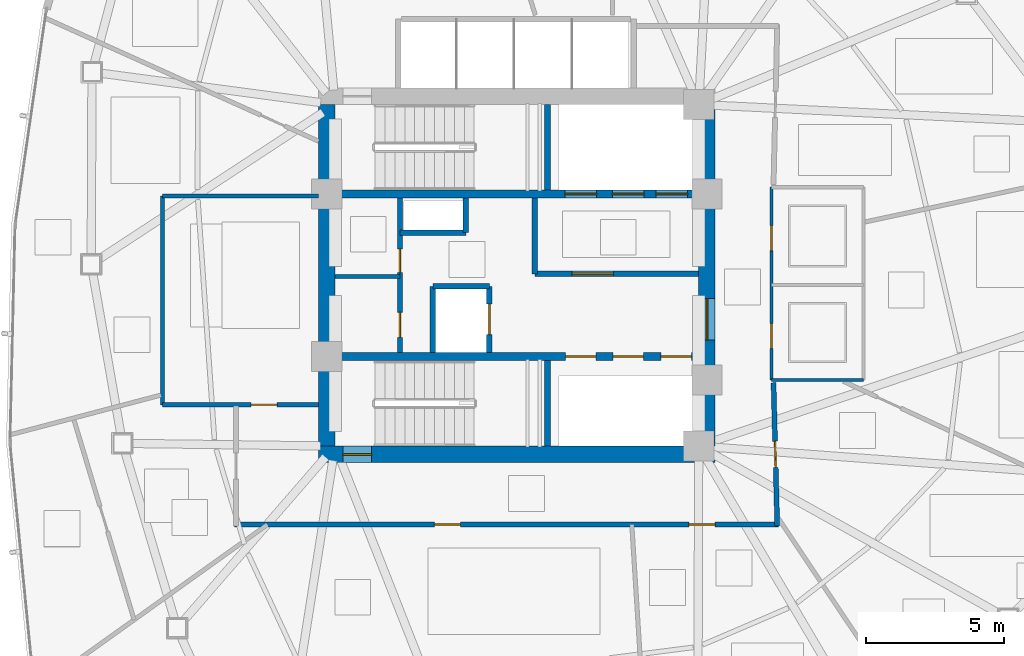
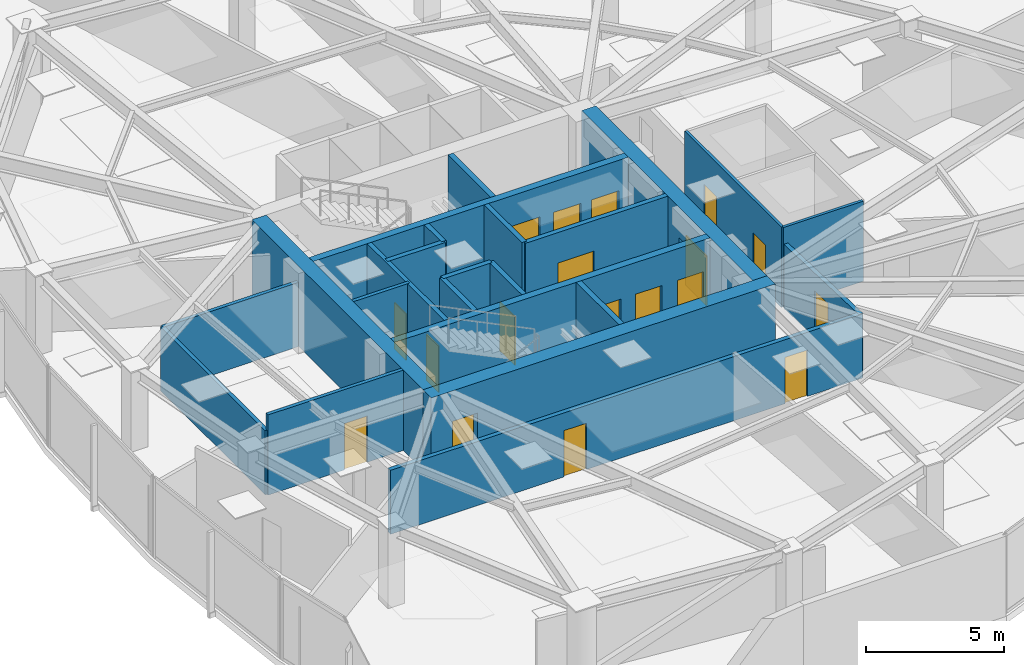
# One storey, part 11 of 16: 23 walls, 18 doors, 18 openings.
"""IFC4 building model written with IfcOpenShell, lengths in metres."""

import ifcopenshell
import ifcopenshell.guid

model = None  # the IFC model being written
_history = None  # IfcOwnerHistory: only IFC2X3 demands one
_inside = {}  # id of a spatial element -> (the spatial element, [elements in it])
_under = {}  # id of a project, library or spatial element -> (it, [spatial elements below it])
_declared = {}  # id of a project -> (the project, [libraries it declares])
_typed = {}  # id of a type object -> (the type object, [elements of that type])
_made_of = {}  # id of a material, layer set ... -> (it, [elements and type objects made of it])


def new_model(schema):
    """Start an empty IFC model of exactly this schema.

    Asked for "IFC4X3", IfcOpenShell would pick the latest addendum, in which some entities
    have other attributes; the version numbers below select the first issue.
    IFC2X3 requires an IfcOwnerHistory on every rooted entity: one is made here for all.
    """
    global model, _history
    if schema == "IFC4X3":
        model = ifcopenshell.file(schema_version=(4, 3, 0, 0))
    else:
        model = ifcopenshell.file(schema=schema)
    _inside.clear()
    _under.clear()
    _declared.clear()
    _typed.clear()
    _made_of.clear()
    _history = None
    if model.schema == "IFC2X3":
        org = make("IfcOrganization", Name="unknown")
        user = make(
            "IfcPersonAndOrganization",
            ThePerson=make("IfcPerson", FamilyName="unknown"),
            TheOrganization=org,
        )
        app = make(
            "IfcApplication",
            ApplicationDeveloper=org,
            Version="unknown",
            ApplicationFullName="unknown",
            ApplicationIdentifier="unknown",
        )
        _history = make(
            "IfcOwnerHistory",
            OwningUser=user,
            OwningApplication=app,
            ChangeAction="ADDED",
            CreationDate=0,
        )
    return model


def make(cls, **values):
    """One entity of the class cls with the attributes given. An attribute that is None is left unset."""
    return model.create_entity(
        cls, **{name: value for name, value in values.items() if value is not None}
    )


def rooted(cls, **values):
    """An entity with a GlobalId (a new one), such as an element, a storey or a relation."""
    return make(cls, GlobalId=ifcopenshell.guid.new(), OwnerHistory=_history, **values)


def si_unit(unit_type, name, prefix=None):
    """IfcSIUnit, for example si_unit("LENGTHUNIT", "METRE", prefix="MILLI")."""
    return make("IfcSIUnit", UnitType=unit_type, Prefix=prefix, Name=name)


def assignment(units):
    """IfcUnitAssignment: the units of a project."""
    return None if units is None else make("IfcUnitAssignment", Units=units)


def point(xyz):
    """IfcCartesianPoint."""
    return None if xyz is None else make("IfcCartesianPoint", Coordinates=xyz)


def direction(xyz):
    """IfcDirection."""
    return None if xyz is None else make("IfcDirection", DirectionRatios=xyz)


def frame(location, z_axis=None, x_axis=None):
    """IfcAxis2Placement3D, a coordinate frame: its origin and axes. An axis left out is left unset."""
    return make(
        "IfcAxis2Placement3D",
        Location=point(location),
        Axis=direction(z_axis),
        RefDirection=direction(x_axis),
    )


def frame_2d(location, x_axis=None):
    """IfcAxis2Placement2D, a coordinate frame in the plane: its origin and x axis."""
    return make(
        "IfcAxis2Placement2D", Location=point(location), RefDirection=direction(x_axis)
    )


def origin():
    """The frame at (0, 0, 0) with its axes left unset."""
    return frame((0.0, 0.0, 0.0))


def place(relative_to, where):
    """IfcLocalPlacement: puts the frame where relative to a parent placement (None: the world)."""
    return make(
        "IfcLocalPlacement", PlacementRelTo=relative_to, RelativePlacement=where
    )


def context(
    kind, dimensions, precision=None, world=None, true_north=None, identifier=None
):
    """IfcGeometricRepresentationContext, for example the 3D "Model" context."""
    return make(
        "IfcGeometricRepresentationContext",
        ContextIdentifier=identifier,
        ContextType=kind,
        CoordinateSpaceDimension=dimensions,
        Precision=precision,
        WorldCoordinateSystem=world,
        TrueNorth=true_north,
    )


def subcontext(parent, identifier, kind, view, scale=None):
    """IfcGeometricRepresentationSubContext, for example "Body" below "Model"."""
    return make(
        "IfcGeometricRepresentationSubContext",
        ContextIdentifier=identifier,
        ContextType=kind,
        ParentContext=parent,
        TargetScale=scale,
        TargetView=view,
    )


def project(units=None, contexts=None):
    """IfcProject with its units and contexts."""
    return rooted(
        "IfcProject",
        Name="project",
        RepresentationContexts=contexts,
        UnitsInContext=assignment(units),
    )


def spatial(cls, under=None, at=None, **own):
    """A site, building, storey or space (cls), placed at a placement, below another one or the project."""
    s = rooted(cls, ObjectPlacement=at, **own)
    if under is not None:
        _under.setdefault(under.id(), (under, []))[1].append(s)
    return s


def profile(cls, at=None, kind="AREA", **sizes):
    """A parametric profile (cls). Its sizes go by their IFC names, for example OverallWidth=200.0."""
    return make(cls, ProfileType=kind, Position=at, **sizes)


def rectangle(**sizes):
    """IfcRectangleProfileDef."""
    return profile("IfcRectangleProfileDef", **sizes)


def extrude(swept, where, along, depth):
    """IfcExtrudedAreaSolid: the profile swept, set in the frame where, extruded along a direction by depth."""
    return make(
        "IfcExtrudedAreaSolid",
        SweptArea=swept,
        Position=where,
        ExtrudedDirection=direction(along),
        Depth=depth,
    )


def shape(context_of_items, identifier, shape_type, items):
    """IfcShapeRepresentation: the items that make up one representation, for example the "Body"."""
    return make(
        "IfcShapeRepresentation",
        ContextOfItems=context_of_items,
        RepresentationIdentifier=identifier,
        RepresentationType=shape_type,
        Items=items,
    )


def material(Name=None, Category=None):
    """IfcMaterial."""
    return make("IfcMaterial", Name=Name, Category=Category)


def layer(
    of_material, thickness, ventilated=None, Name=None, Category=None, Priority=None
):
    """IfcMaterialLayer: one layer of a wall or slab, of a material (None: an air gap)."""
    return make(
        "IfcMaterialLayer",
        Material=of_material,
        LayerThickness=thickness,
        IsVentilated=ventilated,
        Name=Name,
        Category=Category,
        Priority=Priority,
    )


def layer_set(layers, Name=None):
    """IfcMaterialLayerSet."""
    return make("IfcMaterialLayerSet", MaterialLayers=layers, LayerSetName=Name)


def made_of(thing, what):
    """Note that an element or type object is made of a material, layer set ...; save() writes the relation."""
    if what is not None:
        _made_of.setdefault(what.id(), (what, []))[1].append(thing)
    return thing


def type_object(cls, material=None, **own):
    """A type object (cls), such as IfcWallType, which elements share."""
    return made_of(rooted(cls, **own), material)


def element(
    cls,
    number,
    at=None,
    inside=None,
    cuts=None,
    type_object=None,
    material=None,
    context=None,
    identifier="Body",
    shape_type=None,
    held_by="IfcProductDefinitionShape",
    body=None,
    shapes=None,
    **own,
):
    """One element of the class cls, such as IfcWall. Its Tag is "e" and its number.

    at: its placement. inside: the storey or other place that contains it. cuts: it is an
    opening in that element (IfcRelVoidsElement). A single representation is given by context,
    identifier, shape_type and body (its items); several are given by shapes. held_by: the class
    of the entity that holds the representations. save() writes the other relations.
    """
    e = rooted(cls, Tag="e%d" % number, ObjectPlacement=at, **own)
    if body is not None:
        shapes = [shape(context, identifier, shape_type, body)]
    if shapes is not None:
        e.Representation = make(held_by, Representations=shapes)
    if inside is not None:
        _inside.setdefault(inside.id(), (inside, []))[1].append(e)
    if cuts is not None:
        rooted(
            "IfcRelVoidsElement", RelatingBuildingElement=cuts, RelatedOpeningElement=e
        )
    if type_object is not None:
        _typed.setdefault(type_object.id(), (type_object, []))[1].append(e)
    return made_of(e, material)


def fill(opening, filler):
    """IfcRelFillsElement: the door or window that sits in an opening."""
    return rooted(
        "IfcRelFillsElement",
        RelatingOpeningElement=opening,
        RelatedBuildingElement=filler,
    )


def aggregate(whole, parts):
    """IfcRelAggregates: a whole, such as a stair, and the parts it consists of."""
    return rooted("IfcRelAggregates", RelatingObject=whole, RelatedObjects=parts)


def save(model, path):
    """Write the relations noted so far, then the file.

    IfcRelAggregates (storeys below a building ...), IfcRelContainedInSpatialStructure (elements
    in a storey), IfcRelDefinesByType, IfcRelAssociatesMaterial and IfcRelDeclares: one each for
    every whole, place, type object, material and project.
    """
    for whole, parts in _under.values():
        aggregate(whole, parts)
    for where, things in _inside.values():
        rooted(
            "IfcRelContainedInSpatialStructure",
            RelatedElements=things,
            RelatingStructure=where,
        )
    for kind, things in _typed.values():
        rooted("IfcRelDefinesByType", RelatedObjects=things, RelatingType=kind)
    for what, things in _made_of.values():
        rooted("IfcRelAssociatesMaterial", RelatedObjects=things, RelatingMaterial=what)
    for by, libraries in _declared.values():
        rooted("IfcRelDeclares", RelatingContext=by, RelatedDefinitions=libraries)
    model.write(path)


model = new_model("IFC4")

# Units and contexts
model_context = context("Model", 3, precision=1e-05, world=origin(), true_north=direction((0.0, 1.0)))
body_context = subcontext(model_context, "Body", "Model", "MODEL_VIEW")
ifc_project = project(units=[si_unit("LENGTHUNIT", "METRE"), si_unit("AREAUNIT", "SQUARE_METRE"), si_unit("VOLUMEUNIT", "CUBIC_METRE"), si_unit("PLANEANGLEUNIT", "RADIAN"), si_unit("MASSUNIT", "GRAM", prefix="KILO")], contexts=[model_context])

# Site, building, storey
site_placement = place(None, origin())
site = spatial("IfcSite", under=ifc_project, at=site_placement, CompositionType="ELEMENT")
building_placement = place(site_placement, origin())
building = spatial("IfcBuilding", under=site, at=building_placement, Name="Tavelor Broadcast Tower", CompositionType="ELEMENT")
storey_placement = place(building_placement, frame((0.0, 0.0, 138.699951171875)))
storey = spatial("IfcBuildingStorey", under=building, at=storey_placement, Name="L32", CompositionType="ELEMENT", Elevation=138.699951171875)

# Wall, opening, door
ifc_material_1 = material(Name="Concrete C60/75", Category="concrete")
ifc_layer_1 = layer(ifc_material_1, 0.60009765625)
ifc_layer_set_1 = layer_set([ifc_layer_1], Name="Concrete C60/75")
wall_type_1 = type_object("IfcWallType", Name="Core Shear Wall 600 mm", PredefinedType="SHEAR", material=ifc_layer_set_1)
wall_1_placement = place(storey_placement, frame((42.800048828125, 38.5, 0.0), z_axis=(0.0, 0.0, 1.0), x_axis=(1.0, 0.0, 0.0)))
wall_1 = element("IfcWall", 1, at=wall_1_placement, inside=storey, type_object=wall_type_1, Name="L32 Central Core Shear Wall S", PredefinedType="SHEAR", context=body_context, shape_type="SweptSolid", body=[
    extrude(rectangle(XDim=14.39990234375, YDim=0.60009765625, at=frame_2d((7.199951171875, 0.0))), origin(), (0.0, 0.0, 1.0), 3.550048828125),
])
opening_1_placement = place(wall_1_placement, frame((0.8798828125, 0.0, 0.0)))
opening_1 = element("IfcOpeningElement", 2, at=opening_1_placement, cuts=wall_1, Name="Opening DR11", PredefinedType="OPENING", context=body_context, shape_type="SweptSolid", body=[
    extrude(rectangle(XDim=1.050048828125, YDim=2.199951171875, at=frame_2d((0.52490234375, 1.10009765625))), frame((0.0, 0.31005859375, 0.0), z_axis=(0.0, -1.0, 0.0), x_axis=(1.0, 0.0, 0.0)), (0.0, 0.0, 1.0), 0.6201171875),
])
ifc_material_2 = material(Name="Steel S355", Category="steel")
door_type_1 = type_object("IfcDoorType", Name="Stair Core Fire Escape Door 1050x2200", OperationType="NOTDEFINED", PredefinedType="DOOR", material=ifc_material_2)
door_1_placement = place(opening_1_placement, origin())
door_1 = element("IfcDoor", 3, at=door_1_placement, inside=storey, type_object=door_type_1, Name="L32 Stair ST2 Protected Exit Door", OperationType="SINGLE_SWING_RIGHT", OverallHeight=2.199951171875, OverallWidth=1.050048828125, PredefinedType="DOOR", context=body_context, shape_type="SweptSolid", body=[
    extrude(rectangle(XDim=1.050048828125, YDim=2.199951171875, at=frame_2d((0.52490234375, 1.10009765625))), frame((0.0, 0.02490234375, 0.0), z_axis=(0.0, -1.0, 0.0), x_axis=(1.0, 0.0, 0.0)), (0.0, 0.0, 1.0), 0.050048828125),
])
fill(opening_1, door_1)

# Wall
wall_2_placement = place(storey_placement, frame((43.10009765625, 38.800048828125, 0.0), z_axis=(0.0, 0.0, 1.0), x_axis=(0.0, 1.0, 0.0)))
element("IfcWall", 4, at=wall_2_placement, inside=storey, type_object=wall_type_1, Name="L32 Central Core Shear Wall W", PredefinedType="SHEAR", context=body_context, shape_type="SweptSolid", body=[
    extrude(rectangle(XDim=12.39990234375, YDim=0.60009765625, at=frame_2d((6.199951171875, 0.0))), origin(), (0.0, 0.0, 1.0), 3.550048828125),
])

# Wall, opening, door
wall_3_placement = place(storey_placement, frame((56.89990234375, 38.800048828125, 0.0), z_axis=(0.0, 0.0, 1.0), x_axis=(0.0, 1.0, 0.0)))
wall_3 = element("IfcWall", 5, at=wall_3_placement, inside=storey, type_object=wall_type_1, Name="L32 Central Core Shear Wall E", PredefinedType="SHEAR", context=body_context, shape_type="SweptSolid", body=[
    extrude(rectangle(XDim=12.39990234375, YDim=0.60009765625, at=frame_2d((6.199951171875, 0.0))), origin(), (0.0, 0.0, 1.0), 3.550048828125),
])
opening_2_placement = place(wall_3_placement, frame((3.85009765625, 0.0, 0.0)))
opening_2 = element("IfcOpeningElement", 6, at=opening_2_placement, cuts=wall_3, Name="Opening DR14", PredefinedType="OPENING", context=body_context, shape_type="SweptSolid", body=[
    extrude(rectangle(XDim=1.5, YDim=2.199951171875, at=frame_2d((0.75, 1.10009765625))), frame((0.0, 0.31005859375, 0.0), z_axis=(0.0, -1.0, 0.0), x_axis=(1.0, 0.0, 0.0)), (0.0, 0.0, 1.0), 0.6201171875),
])
door_type_2 = type_object("IfcDoorType", Name="Firefighting Lobby Double Fire Door 1500x2200", OperationType="NOTDEFINED", PredefinedType="DOOR", material=ifc_material_2)
door_2_placement = place(opening_2_placement, origin())
door_2 = element("IfcDoor", 7, at=door_2_placement, inside=storey, type_object=door_type_2, Name="L32 Central Core Lobby Fire Door", OperationType="SINGLE_SWING_RIGHT", OverallHeight=2.199951171875, OverallWidth=1.5, PredefinedType="DOOR", context=body_context, shape_type="SweptSolid", body=[
    extrude(rectangle(XDim=1.5, YDim=2.199951171875, at=frame_2d((0.75, 1.10009765625))), frame((0.0, 0.02490234375, 0.0), z_axis=(0.0, -1.0, 0.0), x_axis=(1.0, 0.0, 0.0)), (0.0, 0.0, 1.0), 0.050048828125),
])
fill(opening_2, door_2)

# Wall, openings, doors
ifc_layer_2 = layer(ifc_material_1, 0.300048828125)
ifc_layer_set_2 = layer_set([ifc_layer_2], Name="Concrete C60/75")
wall_type_2 = type_object("IfcWallType", Name="Core Spine Shear Wall 300 mm C60", PredefinedType="SHEAR", material=ifc_layer_set_2)
wall_4_placement = place(storey_placement, frame((43.39990234375, 47.949951171875, 0.0), z_axis=(0.0, 0.0, 1.0), x_axis=(1.0, 0.0, 0.0)))
wall_4 = element("IfcWall", 8, at=wall_4_placement, inside=storey, type_object=wall_type_2, Name="L32 Central Core Shear Wall SP1", PredefinedType="SHEAR", context=body_context, shape_type="SweptSolid", body=[
    extrude(rectangle(XDim=13.2001953125, YDim=0.300048828125, at=frame_2d((6.60009765625, 0.0))), origin(), (0.0, 0.0, 1.0), 3.550048828125),
])
opening_3_placement = place(wall_4_placement, frame((8.344970703125, 0.0, 0.0)))
opening_3 = element("IfcOpeningElement", 9, at=opening_3_placement, cuts=wall_4, Name="Opening LD02", PredefinedType="OPENING", context=body_context, shape_type="SweptSolid", body=[
    extrude(rectangle(XDim=1.14990234375, YDim=2.199951171875, at=frame_2d((0.574951171875, 1.10009765625))), frame((0.0, 0.16015625, 0.0), z_axis=(0.0, -1.0, 0.0), x_axis=(1.0, 0.0, 0.0)), (0.0, 0.0, 1.0), 0.320068359375),
])
opening_4_placement = place(wall_4_placement, frame((10.06494140625, 0.0, 0.0)))
opening_4 = element("IfcOpeningElement", 10, at=opening_4_placement, cuts=wall_4, Name="Opening LD02", PredefinedType="OPENING", context=body_context, shape_type="SweptSolid", body=[
    extrude(rectangle(XDim=1.14990234375, YDim=2.199951171875, at=frame_2d((0.574951171875, 1.10009765625))), frame((0.0, 0.16015625, 0.0), z_axis=(0.0, -1.0, 0.0), x_axis=(1.0, 0.0, 0.0)), (0.0, 0.0, 1.0), 0.320068359375),
])
opening_5_placement = place(wall_4_placement, frame((11.64501953125, 0.0, 0.0)))
opening_5 = element("IfcOpeningElement", 11, at=opening_5_placement, cuts=wall_4, Name="Opening LD03", PredefinedType="OPENING", context=body_context, shape_type="SweptSolid", body=[
    extrude(rectangle(XDim=1.14990234375, YDim=2.199951171875, at=frame_2d((0.574951171875, 1.10009765625))), frame((0.0, 0.16015625, 0.0), z_axis=(0.0, -1.0, 0.0), x_axis=(1.0, 0.0, 0.0)), (0.0, 0.0, 1.0), 0.320068359375),
])
ifc_material_3 = material(Name="Reinforced Brushed Stainless Steel", Category="concrete")
door_type_3 = type_object("IfcDoorType", Name="Broadcast Goods Lift Sliding Landing Door 1250x2200", OperationType="NOTDEFINED", PredefinedType="DOOR", material=ifc_material_3)
door_3_placement = place(opening_5_placement, origin())
door_3 = element("IfcDoor", 12, at=door_3_placement, inside=storey, type_object=door_type_3, Name="L32 Lift SVL1 Sliding Landing Door", OperationType="SLIDING_TO_LEFT", OverallHeight=2.199951171875, OverallWidth=1.14990234375, PredefinedType="DOOR", context=body_context, shape_type="SweptSolid", body=[
    extrude(rectangle(XDim=1.14990234375, YDim=2.199951171875, at=frame_2d((0.574951171875, 1.10009765625))), frame((0.0, 0.02490234375, 0.0), z_axis=(0.0, -1.0, 0.0), x_axis=(1.0, 0.0, 0.0)), (0.0, 0.0, 1.0), 0.050048828125),
])
fill(opening_5, door_3)
ifc_material_4 = material(Name="Fire-Rated Stainless Steel", Category="steel")
door_type_4 = type_object("IfcDoorType", Name="Firefighting Lift Sliding Landing Door 1200x2200", OperationType="NOTDEFINED", PredefinedType="DOOR", material=ifc_material_4)
door_4_placement = place(opening_3_placement, origin())
door_4 = element("IfcDoor", 13, at=door_4_placement, inside=storey, type_object=door_type_4, Name="L32 Lift FFL1 Sliding Landing Door", OperationType="SLIDING_TO_LEFT", OverallHeight=2.199951171875, OverallWidth=1.14990234375, PredefinedType="DOOR", context=body_context, shape_type="SweptSolid", body=[
    extrude(rectangle(XDim=1.14990234375, YDim=2.199951171875, at=frame_2d((0.574951171875, 1.10009765625))), frame((0.0, 0.02490234375, 0.0), z_axis=(0.0, -1.0, 0.0), x_axis=(1.0, 0.0, 0.0)), (0.0, 0.0, 1.0), 0.050048828125),
])
fill(opening_3, door_4)
door_5_placement = place(opening_4_placement, origin())
door_5 = element("IfcDoor", 14, at=door_5_placement, inside=storey, type_object=door_type_4, Name="L32 Lift FFL2 Sliding Landing Door", OperationType="SLIDING_TO_LEFT", OverallHeight=2.199951171875, OverallWidth=1.14990234375, PredefinedType="DOOR", context=body_context, shape_type="SweptSolid", body=[
    extrude(rectangle(XDim=1.14990234375, YDim=2.199951171875, at=frame_2d((0.574951171875, 1.10009765625))), frame((0.0, 0.02490234375, 0.0), z_axis=(0.0, -1.0, 0.0), x_axis=(1.0, 0.0, 0.0)), (0.0, 0.0, 1.0), 0.050048828125),
])
fill(opening_4, door_5)

wall_5_placement = place(storey_placement, frame((43.39990234375, 42.050048828125, 0.0), z_axis=(0.0, 0.0, 1.0), x_axis=(1.0, 0.0, 0.0)))
wall_5 = element("IfcWall", 15, at=wall_5_placement, inside=storey, type_object=wall_type_2, Name="L32 Central Core Shear Wall SP2", PredefinedType="SHEAR", context=body_context, shape_type="SweptSolid", body=[
    extrude(rectangle(XDim=13.2001953125, YDim=0.300048828125, at=frame_2d((6.60009765625, 0.0))), origin(), (0.0, 0.0, 1.0), 3.550048828125),
])
opening_6_placement = place(wall_5_placement, frame((8.3701171875, 0.0, 0.0)))
opening_6 = element("IfcOpeningElement", 16, at=opening_6_placement, cuts=wall_5, Name="Opening LD01", PredefinedType="OPENING", context=body_context, shape_type="SweptSolid", body=[
    extrude(rectangle(XDim=1.10009765625, YDim=2.14990234375, at=frame_2d((0.550048828125, 1.074951171875))), frame((0.0, 0.16015625, 0.0), z_axis=(0.0, -1.0, 0.0), x_axis=(1.0, 0.0, 0.0)), (0.0, 0.0, 1.0), 0.320068359375),
])
opening_7_placement = place(wall_5_placement, frame((10.090087890625, 0.0, 0.0)))
opening_7 = element("IfcOpeningElement", 17, at=opening_7_placement, cuts=wall_5, Name="Opening LD01", PredefinedType="OPENING", context=body_context, shape_type="SweptSolid", body=[
    extrude(rectangle(XDim=1.10009765625, YDim=2.14990234375, at=frame_2d((0.550048828125, 1.074951171875))), frame((0.0, 0.16015625, 0.0), z_axis=(0.0, -1.0, 0.0), x_axis=(1.0, 0.0, 0.0)), (0.0, 0.0, 1.0), 0.320068359375),
])
opening_8_placement = place(wall_5_placement, frame((11.830078125, 0.0, 0.0)))
opening_8 = element("IfcOpeningElement", 18, at=opening_8_placement, cuts=wall_5, Name="Opening LD01", PredefinedType="OPENING", context=body_context, shape_type="SweptSolid", body=[
    extrude(rectangle(XDim=1.10009765625, YDim=2.14990234375, at=frame_2d((0.550048828125, 1.074951171875))), frame((0.0, 0.16015625, 0.0), z_axis=(0.0, -1.0, 0.0), x_axis=(1.0, 0.0, 0.0)), (0.0, 0.0, 1.0), 0.320068359375),
])
ifc_material_5 = material(Name="Brushed Stainless Steel", Category="steel")
door_type_5 = type_object("IfcDoorType", Name="Passenger Lift Sliding Landing Door 1100x2150", OperationType="NOTDEFINED", PredefinedType="DOOR", material=ifc_material_5)
door_6_placement = place(opening_6_placement, origin())
door_6 = element("IfcDoor", 19, at=door_6_placement, inside=storey, type_object=door_type_5, Name="L32 Lift PLM1 Sliding Landing Door", OperationType="SLIDING_TO_LEFT", OverallHeight=2.14990234375, OverallWidth=1.10009765625, PredefinedType="DOOR", context=body_context, shape_type="SweptSolid", body=[
    extrude(rectangle(XDim=1.10009765625, YDim=2.14990234375, at=frame_2d((0.550048828125, 1.074951171875))), frame((0.0, 0.02490234375, 0.0), z_axis=(0.0, -1.0, 0.0), x_axis=(1.0, 0.0, 0.0)), (0.0, 0.0, 1.0), 0.050048828125),
])
fill(opening_6, door_6)
door_7_placement = place(opening_7_placement, origin())
door_7 = element("IfcDoor", 20, at=door_7_placement, inside=storey, type_object=door_type_5, Name="L32 Lift PLM2 Sliding Landing Door", OperationType="SLIDING_TO_LEFT", OverallHeight=2.14990234375, OverallWidth=1.10009765625, PredefinedType="DOOR", context=body_context, shape_type="SweptSolid", body=[
    extrude(rectangle(XDim=1.10009765625, YDim=2.14990234375, at=frame_2d((0.550048828125, 1.074951171875))), frame((0.0, 0.02490234375, 0.0), z_axis=(0.0, -1.0, 0.0), x_axis=(1.0, 0.0, 0.0)), (0.0, 0.0, 1.0), 0.050048828125),
])
fill(opening_7, door_7)
door_8_placement = place(opening_8_placement, origin())
door_8 = element("IfcDoor", 21, at=door_8_placement, inside=storey, type_object=door_type_5, Name="L32 Lift PLM3 Sliding Landing Door", OperationType="SLIDING_TO_LEFT", OverallHeight=2.14990234375, OverallWidth=1.10009765625, PredefinedType="DOOR", context=body_context, shape_type="SweptSolid", body=[
    extrude(rectangle(XDim=1.10009765625, YDim=2.14990234375, at=frame_2d((0.550048828125, 1.074951171875))), frame((0.0, 0.02490234375, 0.0), z_axis=(0.0, -1.0, 0.0), x_axis=(1.0, 0.0, 0.0)), (0.0, 0.0, 1.0), 0.050048828125),
])
fill(opening_8, door_8)

ifc_material_6 = material(Name="Calcium Silicate Fire Board 180 mm", Category="gypsum")
ifc_layer_3 = layer(ifc_material_6, 0.179931640625)
ifc_layer_set_3 = layer_set([ifc_layer_3], Name="Calcium Silicate Fire Board 180 mm")
wall_type_3 = type_object("IfcWallType", Name="Fire-Rated Corridor Partition Wall 180 mm", PredefinedType="PARTITIONING", material=ifc_layer_set_3)
wall_6_placement = place(storey_placement, frame((45.75, 42.199951171875, 0.0), z_axis=(0.0, 0.0, 1.0), x_axis=(0.0, 1.0, 0.0)))
wall_6 = element("IfcWall", 22, at=wall_6_placement, inside=storey, type_object=wall_type_3, Name="L32 Core West Service East Wall", PredefinedType="PARTITIONING", context=body_context, shape_type="SweptSolid", body=[
    extrude(rectangle(XDim=5.60009765625, YDim=0.179931640625, at=frame_2d((2.800048828125, 0.0))), origin(), (0.0, 0.0, 1.0), 3.550048828125),
])
opening_9_placement = place(wall_6_placement, frame((0.550048828125, 0.0, 0.0)))
opening_9 = element("IfcOpeningElement", 23, at=opening_9_placement, cuts=wall_6, Name="Opening DR32", PredefinedType="OPENING", context=body_context, shape_type="SweptSolid", body=[
    extrude(rectangle(XDim=0.89990234375, YDim=2.050048828125, at=frame_2d((0.449951171875, 1.02490234375))), frame((0.0, 0.10009765625, 0.0), z_axis=(0.0, -1.0, 0.0), x_axis=(1.0, 0.0, 0.0)), (0.0, 0.0, 1.0), 0.199951171875),
])
opening_10_placement = place(wall_6_placement, frame((2.89990234375, 0.0, 0.0)))
opening_10 = element("IfcOpeningElement", 24, at=opening_10_placement, cuts=wall_6, Name="Opening DR36", PredefinedType="OPENING", context=body_context, shape_type="SweptSolid", body=[
    extrude(rectangle(XDim=0.85009765625, YDim=2.050048828125, at=frame_2d((0.425048828125, 1.02490234375))), frame((0.0, 0.10009765625, 0.0), z_axis=(0.0, -1.0, 0.0), x_axis=(1.0, 0.0, 0.0)), (0.0, 0.0, 1.0), 0.199951171875),
])
ifc_material_7 = material(Name="Timber Solid Core Hardwood", Category="wood")
door_type_6 = type_object("IfcDoorType", Name="Accessible Washroom Door 900x2050", OperationType="NOTDEFINED", PredefinedType="DOOR", material=ifc_material_7)
door_9_placement = place(opening_9_placement, origin())
door_9 = element("IfcDoor", 25, at=door_9_placement, inside=storey, type_object=door_type_6, Name="L32 Core Accessible WC Door", OperationType="SINGLE_SWING_LEFT", OverallHeight=2.050048828125, OverallWidth=0.89990234375, PredefinedType="DOOR", context=body_context, shape_type="SweptSolid", body=[
    extrude(rectangle(XDim=0.89990234375, YDim=2.050048828125, at=frame_2d((0.449951171875, 1.02490234375))), frame((0.0, 0.02490234375, 0.0), z_axis=(0.0, -1.0, 0.0), x_axis=(1.0, 0.0, 0.0)), (0.0, 0.0, 1.0), 0.050048828125),
])
fill(opening_9, door_9)
door_type_7 = type_object("IfcDoorType", Name="Service Room Fire Door 850x2050", OperationType="NOTDEFINED", PredefinedType="DOOR", material=ifc_material_2)
door_10_placement = place(opening_10_placement, origin())
door_10 = element("IfcDoor", 26, at=door_10_placement, inside=storey, type_object=door_type_7, Name="L32 Core Cleaner Store Door", OperationType="SINGLE_SWING_RIGHT", OverallHeight=2.050048828125, OverallWidth=0.85009765625, PredefinedType="DOOR", context=body_context, shape_type="SweptSolid", body=[
    extrude(rectangle(XDim=0.85009765625, YDim=2.050048828125, at=frame_2d((0.425048828125, 1.02490234375))), frame((0.0, 0.02490234375, 0.0), z_axis=(0.0, -1.0, 0.0), x_axis=(1.0, 0.0, 0.0)), (0.0, 0.0, 1.0), 0.050048828125),
])
fill(opening_10, door_10)

# Wall, opening, door
wall_7_placement = place(storey_placement, frame((59.31640625, 41.10009765625, 0.0), z_axis=(0.0, 0.0, 1.0), x_axis=(0.025953695765, -0.999663146103, 0.0)))
wall_7 = element("IfcWall", 27, at=wall_7_placement, inside=storey, type_object=wall_type_3, Name="L32 Corridor Compartment Wall 03", PredefinedType="PARTITIONING", context=body_context, shape_type="SweptSolid", body=[
    extrude(rectangle(XDim=5.201904296875, YDim=0.179931640625, at=frame_2d((2.60107421875, 0.0))), origin(), (0.0, 0.0, 1.0), 2.8349609375),
])
opening_11_placement = place(wall_7_placement, frame((2.1259765625, 0.0, 0.0)))
opening_11 = element("IfcOpeningElement", 28, at=opening_11_placement, cuts=wall_7, Name="Opening DR18", PredefinedType="OPENING", context=body_context, shape_type="SweptSolid", body=[
    extrude(rectangle(XDim=0.949951171875, YDim=2.050048828125, at=frame_2d((0.47509765625, 1.02490234375))), frame((0.0, 0.10009765625, 0.0), z_axis=(0.0, -1.0, 0.0), x_axis=(1.0, 0.0, 0.0)), (0.0, 0.0, 1.0), 0.199951171875),
])
door_type_8 = type_object("IfcDoorType", Name="Corridor Rated Compartment Door 950x2050", OperationType="NOTDEFINED", PredefinedType="DOOR", material=ifc_material_7)
door_11_placement = place(opening_11_placement, origin())
door_11 = element("IfcDoor", 29, at=door_11_placement, inside=storey, type_object=door_type_8, Name="L32 Creative Huddle Room Door R0", OperationType="SINGLE_SWING_LEFT", OverallHeight=2.050048828125, OverallWidth=0.949951171875, PredefinedType="DOOR", context=body_context, shape_type="SweptSolid", body=[
    extrude(rectangle(XDim=0.949951171875, YDim=2.050048828125, at=frame_2d((0.47509765625, 1.02490234375))), frame((0.0, 0.02490234375, 0.0), z_axis=(0.0, -1.0, 0.0), x_axis=(1.0, 0.0, 0.0)), (0.0, 0.0, 1.0), 0.050048828125),
])
fill(opening_11, door_11)

# Wall, openings, doors
wall_8_placement = place(storey_placement, frame((59.5, 35.949951171875, 0.0), z_axis=(0.0, 0.0, 1.0), x_axis=(-1.0, 0.0, 0.0)))
wall_8 = element("IfcWall", 30, at=wall_8_placement, inside=storey, type_object=wall_type_3, Name="L32 Corridor Compartment Wall 04", PredefinedType="PARTITIONING", context=body_context, shape_type="SweptSolid", body=[
    extrude(rectangle(XDim=19.75, YDim=0.179931640625, at=frame_2d((9.875, 0.0))), origin(), (0.0, 0.0, 1.0), 2.8349609375),
])
opening_12_placement = place(wall_8_placement, frame((2.3037109375, 0.0, 0.0)))
opening_12 = element("IfcOpeningElement", 31, at=opening_12_placement, cuts=wall_8, Name="Opening DR18", PredefinedType="OPENING", context=body_context, shape_type="SweptSolid", body=[
    extrude(rectangle(XDim=0.949951171875, YDim=2.050048828125, at=frame_2d((0.47509765625, 1.02490234375))), frame((0.0, 0.10009765625, 0.0), z_axis=(0.0, -1.0, 0.0), x_axis=(1.0, 0.0, 0.0)), (0.0, 0.0, 1.0), 0.199951171875),
])
opening_13_placement = place(wall_8_placement, frame((11.549560546875, 0.0, 0.0)))
opening_13 = element("IfcOpeningElement", 32, at=opening_13_placement, cuts=wall_8, Name="Opening DR18", PredefinedType="OPENING", context=body_context, shape_type="SweptSolid", body=[
    extrude(rectangle(XDim=0.949951171875, YDim=2.050048828125, at=frame_2d((0.47509765625, 1.02490234375))), frame((0.0, 0.10009765625, 0.0), z_axis=(0.0, -1.0, 0.0), x_axis=(1.0, 0.0, 0.0)), (0.0, 0.0, 1.0), 0.199951171875),
])
door_12_placement = place(opening_12_placement, origin())
door_12 = element("IfcDoor", 33, at=door_12_placement, inside=storey, type_object=door_type_8, Name="L32 Newsroom Huddle Room Door R1", OperationType="SINGLE_SWING_RIGHT", OverallHeight=2.050048828125, OverallWidth=0.949951171875, PredefinedType="DOOR", context=body_context, shape_type="SweptSolid", body=[
    extrude(rectangle(XDim=0.949951171875, YDim=2.050048828125, at=frame_2d((0.47509765625, 1.02490234375))), frame((0.0, 0.02490234375, 0.0), z_axis=(0.0, -1.0, 0.0), x_axis=(1.0, 0.0, 0.0)), (0.0, 0.0, 1.0), 0.050048828125),
])
fill(opening_12, door_12)
door_13_placement = place(opening_13_placement, origin())
door_13 = element("IfcDoor", 34, at=door_13_placement, inside=storey, type_object=door_type_8, Name="L32 Producer Interview Room Door R2", OperationType="SINGLE_SWING_LEFT", OverallHeight=2.050048828125, OverallWidth=0.949951171875, PredefinedType="DOOR", context=body_context, shape_type="SweptSolid", body=[
    extrude(rectangle(XDim=0.949951171875, YDim=2.050048828125, at=frame_2d((0.47509765625, 1.02490234375))), frame((0.0, 0.02490234375, 0.0), z_axis=(0.0, -1.0, 0.0), x_axis=(1.0, 0.0, 0.0)), (0.0, 0.0, 1.0), 0.050048828125),
])
fill(opening_13, door_13)

# Wall
ifc_material_8 = material(Name="Gypsum Acoustic Plasterboard 150 mm", Category="gypsum")
ifc_layer_4 = layer(ifc_material_8, 0.14990234375)
ifc_layer_set_4 = layer_set([ifc_layer_4], Name="Gypsum Acoustic Plasterboard 150 mm")
wall_type_4 = type_object("IfcWallType", Name="Interior Acoustic Partition Wall 150 mm", PredefinedType="PARTITIONING", material=ifc_layer_set_4)
wall_9_placement = place(storey_placement, frame((43.39990234375, 44.949951171875, 0.0), z_axis=(0.0, 0.0, 1.0), x_axis=(1.0, 0.0, 0.0)))
element("IfcWall", 35, at=wall_9_placement, inside=storey, type_object=wall_type_4, Name="L32 Core Split Wall A", PredefinedType="PARTITIONING", context=body_context, shape_type="SweptSolid", body=[
    extrude(rectangle(XDim=2.35009765625, YDim=0.14990234375, at=frame_2d((1.175048828125, 0.0))), origin(), (0.0, 0.0, 1.0), 3.550048828125),
])

# Wall, opening, door
wall_10_placement = place(storey_placement, frame((37.139892578125, 40.300048828125, 0.0), z_axis=(0.0, 0.0, 1.0), x_axis=(1.0, 0.0, 0.0)))
wall_10 = element("IfcWall", 36, at=wall_10_placement, inside=storey, type_object=wall_type_4, Name="L32 Reclaimed Shaft Pantry South Wall", PredefinedType="PARTITIONING", context=body_context, shape_type="SweptSolid", body=[
    extrude(rectangle(XDim=5.66015625, YDim=0.14990234375, at=frame_2d((2.830078125, 0.0))), origin(), (0.0, 0.0, 1.0), 3.550048828125),
])
opening_14_placement = place(wall_10_placement, frame((3.2099609375, 0.0, 0.0)))
opening_14 = element("IfcOpeningElement", 37, at=opening_14_placement, cuts=wall_10, Name="Opening DR18", PredefinedType="OPENING", context=body_context, shape_type="SweptSolid", body=[
    extrude(rectangle(XDim=0.949951171875, YDim=2.050048828125, at=frame_2d((0.47509765625, 1.02490234375))), frame((0.0, 0.0849609375, 0.0), z_axis=(0.0, -1.0, 0.0), x_axis=(1.0, 0.0, 0.0)), (0.0, 0.0, 1.0), 0.169921875),
])
door_14_placement = place(opening_14_placement, origin())
door_14 = element("IfcDoor", 38, at=door_14_placement, inside=storey, type_object=door_type_8, Name="L32 Broadcast IT Patch and Pantry Door", OperationType="SINGLE_SWING_LEFT", OverallHeight=2.050048828125, OverallWidth=0.949951171875, PredefinedType="DOOR", context=body_context, shape_type="SweptSolid", body=[
    extrude(rectangle(XDim=0.949951171875, YDim=2.050048828125, at=frame_2d((0.47509765625, 1.02490234375))), frame((0.0, 0.02490234375, 0.0), z_axis=(0.0, -1.0, 0.0), x_axis=(1.0, 0.0, 0.0)), (0.0, 0.0, 1.0), 0.050048828125),
])
fill(opening_14, door_14)

# Walls
wall_11_placement = place(storey_placement, frame((37.139892578125, 40.300048828125, 0.0), z_axis=(0.0, 0.0, 1.0), x_axis=(0.0, 1.0, 0.0)))
element("IfcWall", 39, at=wall_11_placement, inside=storey, type_object=wall_type_4, Name="L32 Reclaimed Shaft Pantry West Wall", PredefinedType="PARTITIONING", context=body_context, shape_type="SweptSolid", body=[
    extrude(rectangle(XDim=7.579833984375, YDim=0.14990234375, at=frame_2d((3.7900390625, 0.0))), origin(), (0.0, 0.0, 1.0), 2.8349609375),
])
wall_12_placement = place(storey_placement, frame((37.139892578125, 47.8798828125, 0.0), z_axis=(0.0, 0.0, 1.0), x_axis=(1.0, 0.0, 0.0)))
element("IfcWall", 40, at=wall_12_placement, inside=storey, type_object=wall_type_4, Name="L32 Reclaimed Shaft Pantry North Wall", PredefinedType="PARTITIONING", context=body_context, shape_type="SweptSolid", body=[
    extrude(rectangle(XDim=5.66015625, YDim=0.14990234375, at=frame_2d((2.830078125, 0.0))), origin(), (0.0, 0.0, 1.0), 2.8349609375),
])

# Wall, opening, door
ifc_material_9 = material(Name="Concrete Blockwork 200 mm", Category="masonry")
ifc_layer_5 = layer(ifc_material_9, 0.199951171875)
ifc_layer_set_5 = layer_set([ifc_layer_5], Name="Concrete Blockwork 200 mm")
wall_type_5 = type_object("IfcWallType", Name="Lift Hoistway Rated Front Wall 200 mm", PredefinedType="PARTITIONING", material=ifc_layer_set_5)
wall_13_placement = place(storey_placement, frame((49.0, 42.199951171875, 0.0), z_axis=(0.0, 0.0, 1.0), x_axis=(0.0, 1.0, 0.0)))
wall_13 = element("IfcWall", 41, at=wall_13_placement, inside=storey, type_object=wall_type_5, Name="L32 Mid-Rise Lift PLM4 Hoistway Front Wall", PredefinedType="PARTITIONING", context=body_context, shape_type="SweptSolid", body=[
    extrude(rectangle(XDim=2.400146484375, YDim=0.199951171875, at=frame_2d((1.2001953125, 0.0))), origin(), (0.0, 0.0, 1.0), 3.550048828125),
])
opening_15_placement = place(wall_13_placement, frame((0.64990234375, 0.0, 0.0)))
opening_15 = element("IfcOpeningElement", 42, at=opening_15_placement, cuts=wall_13, Name="Opening LD01", PredefinedType="OPENING", context=body_context, shape_type="SweptSolid", body=[
    extrude(rectangle(XDim=1.10009765625, YDim=2.14990234375, at=frame_2d((0.550048828125, 1.074951171875))), frame((0.0, 0.10986328125, 0.0), z_axis=(0.0, -1.0, 0.0), x_axis=(1.0, 0.0, 0.0)), (0.0, 0.0, 1.0), 0.219970703125),
])
door_15_placement = place(opening_15_placement, origin())
door_15 = element("IfcDoor", 43, at=door_15_placement, inside=storey, type_object=door_type_5, Name="L32 Lift PLM4 Sliding Landing Door", OperationType="SLIDING_TO_RIGHT", OverallHeight=2.14990234375, OverallWidth=1.10009765625, PredefinedType="DOOR", context=body_context, shape_type="SweptSolid", body=[
    extrude(rectangle(XDim=1.10009765625, YDim=2.14990234375, at=frame_2d((0.550048828125, 1.074951171875))), frame((0.0, 0.02490234375, 0.0), z_axis=(0.0, -1.0, 0.0), x_axis=(1.0, 0.0, 0.0)), (0.0, 0.0, 1.0), 0.050048828125),
])
fill(opening_15, door_15)

# Walls
ifc_layer_6 = layer(ifc_material_9, 0.199951171875)
ifc_layer_set_6 = layer_set([ifc_layer_6], Name="Concrete Blockwork 200 mm")
wall_type_6 = type_object("IfcWallType", Name="Lift and Riser Shaft Enclosure Wall 200 mm", PredefinedType="PARTITIONING", material=ifc_layer_set_6)
wall_14_placement = place(storey_placement, frame((45.75, 46.550048828125, 0.0), z_axis=(0.0, 0.0, 1.0), x_axis=(1.0, 0.0, 0.0)))
element("IfcWall", 44, at=wall_14_placement, inside=storey, type_object=wall_type_6, Name="L32 Riser Shaft South Wall", PredefinedType="PARTITIONING", context=body_context, shape_type="SweptSolid", body=[
    extrude(rectangle(XDim=2.39990234375, YDim=0.199951171875, at=frame_2d((1.199951171875, 0.0))), origin(), (0.0, 0.0, 1.0), 3.550048828125),
])
wall_15_placement = place(storey_placement, frame((48.14990234375, 46.550048828125, 0.0), z_axis=(0.0, 0.0, 1.0), x_axis=(0.0, 1.0, 0.0)))
element("IfcWall", 45, at=wall_15_placement, inside=storey, type_object=wall_type_6, Name="L32 Riser Shaft East Wall", PredefinedType="PARTITIONING", context=body_context, shape_type="SweptSolid", body=[
    extrude(rectangle(XDim=1.25, YDim=0.199951171875, at=frame_2d((0.625, 0.0))), origin(), (0.0, 0.0, 1.0), 3.550048828125),
])
wall_16_placement = place(storey_placement, frame((46.949951171875, 42.199951171875, 0.0), z_axis=(0.0, 0.0, 1.0), x_axis=(0.0, 1.0, 0.0)))
element("IfcWall", 46, at=wall_16_placement, inside=storey, type_object=wall_type_6, Name="L32 Mid-Rise Lift PLM4 West Wall", PredefinedType="PARTITIONING", context=body_context, shape_type="SweptSolid", body=[
    extrude(rectangle(XDim=2.400146484375, YDim=0.199951171875, at=frame_2d((1.2001953125, 0.0))), origin(), (0.0, 0.0, 1.0), 3.550048828125),
])
wall_17_placement = place(storey_placement, frame((46.949951171875, 44.60009765625, 0.0), z_axis=(0.0, 0.0, 1.0), x_axis=(1.0, 0.0, 0.0)))
element("IfcWall", 47, at=wall_17_placement, inside=storey, type_object=wall_type_6, Name="L32 Mid-Rise Lift PLM4 North Wall", PredefinedType="PARTITIONING", context=body_context, shape_type="SweptSolid", body=[
    extrude(rectangle(XDim=2.050048828125, YDim=0.199951171875, at=frame_2d((1.02490234375, 0.0))), origin(), (0.0, 0.0, 1.0), 3.550048828125),
])

# Wall, opening, door
wall_18_placement = place(storey_placement, frame((50.64990234375, 45.050048828125, 0.0), z_axis=(0.0, 0.0, 1.0), x_axis=(1.0, 0.0, 0.0)))
wall_18 = element("IfcWall", 48, at=wall_18_placement, inside=storey, type_object=wall_type_6, Name="L32 Firefighting Lobby South Wall", PredefinedType="PARTITIONING", context=body_context, shape_type="SweptSolid", body=[
    extrude(rectangle(XDim=5.9501953125, YDim=0.199951171875, at=frame_2d((2.97509765625, 0.0))), origin(), (0.0, 0.0, 1.0), 3.550048828125),
])
opening_16_placement = place(wall_18_placement, frame((1.35009765625, 0.0, 0.0)))
opening_16 = element("IfcOpeningElement", 49, at=opening_16_placement, cuts=wall_18, Name="Opening DR14", PredefinedType="OPENING", context=body_context, shape_type="SweptSolid", body=[
    extrude(rectangle(XDim=1.5, YDim=2.199951171875, at=frame_2d((0.75, 1.10009765625))), frame((0.0, 0.10986328125, 0.0), z_axis=(0.0, -1.0, 0.0), x_axis=(1.0, 0.0, 0.0)), (0.0, 0.0, 1.0), 0.219970703125),
])
door_16_placement = place(opening_16_placement, origin())
door_16 = element("IfcDoor", 50, at=door_16_placement, inside=storey, type_object=door_type_2, Name="L32 Firefighting Lobby Compartment Door", OperationType="SINGLE_SWING_LEFT", OverallHeight=2.199951171875, OverallWidth=1.5, PredefinedType="DOOR", context=body_context, shape_type="SweptSolid", body=[
    extrude(rectangle(XDim=1.5, YDim=2.199951171875, at=frame_2d((0.75, 1.10009765625))), frame((0.0, 0.02490234375, 0.0), z_axis=(0.0, -1.0, 0.0), x_axis=(1.0, 0.0, 0.0)), (0.0, 0.0, 1.0), 0.050048828125),
])
fill(opening_16, door_16)

# Wall
wall_19_placement = place(storey_placement, frame((50.64990234375, 45.050048828125, 0.0), z_axis=(0.0, 0.0, 1.0), x_axis=(0.0, 1.0, 0.0)))
element("IfcWall", 51, at=wall_19_placement, inside=storey, type_object=wall_type_6, Name="L32 Firefighting Lobby West Wall", PredefinedType="PARTITIONING", context=body_context, shape_type="SweptSolid", body=[
    extrude(rectangle(XDim=2.75, YDim=0.199951171875, at=frame_2d((1.375, 0.0))), origin(), (0.0, 0.0, 1.0), 3.550048828125),
])

# Wall, openings, doors
ifc_material_10 = material(Name="Moisture-Resistant Plasterboard 120 mm", Category="gypsum")
ifc_layer_7 = layer(ifc_material_10, 0.1201171875)
ifc_layer_set_7 = layer_set([ifc_layer_7], Name="Moisture-Resistant Plasterboard 120 mm")
wall_type_7 = type_object("IfcWallType", Name="Moisture-Resistant Wet-Room Partition 120 mm", PredefinedType="PARTITIONING", material=ifc_layer_set_7)
wall_20_placement = place(storey_placement, frame((59.239990234375, 41.199951171875, 0.0), z_axis=(0.0, 0.0, 1.0), x_axis=(0.0, 1.0, 0.0)))
wall_20 = element("IfcWall", 52, at=wall_20_placement, inside=storey, type_object=wall_type_7, Name="L32 Floor Washrooms West Wall", PredefinedType="PARTITIONING", context=body_context, shape_type="SweptSolid", body=[
    extrude(rectangle(XDim=7.0, YDim=0.1201171875, at=frame_2d((3.5, 0.0))), origin(), (0.0, 0.0, 1.0), 3.550048828125),
])
opening_17_placement = place(wall_20_placement, frame((1.14990234375, 0.0, 0.0)))
opening_17 = element("IfcOpeningElement", 53, at=opening_17_placement, cuts=wall_20, Name="Opening DR32", PredefinedType="OPENING", context=body_context, shape_type="SweptSolid", body=[
    extrude(rectangle(XDim=0.89990234375, YDim=2.050048828125, at=frame_2d((0.449951171875, 1.02490234375))), frame((0.0, 0.070068359375, 0.0), z_axis=(0.0, -1.0, 0.0), x_axis=(1.0, 0.0, 0.0)), (0.0, 0.0, 1.0), 0.14013671875),
])
opening_18_placement = place(wall_20_placement, frame((4.699951171875, 0.0, 0.0)))
opening_18 = element("IfcOpeningElement", 54, at=opening_18_placement, cuts=wall_20, Name="Opening DR32", PredefinedType="OPENING", context=body_context, shape_type="SweptSolid", body=[
    extrude(rectangle(XDim=0.89990234375, YDim=2.050048828125, at=frame_2d((0.449951171875, 1.02490234375))), frame((0.0, 0.070068359375, 0.0), z_axis=(0.0, -1.0, 0.0), x_axis=(1.0, 0.0, 0.0)), (0.0, 0.0, 1.0), 0.14013671875),
])
door_17_placement = place(opening_17_placement, origin())
door_17 = element("IfcDoor", 55, at=door_17_placement, inside=storey, type_object=door_type_6, Name="L32 Accessible WC Door", OperationType="SINGLE_SWING_LEFT", OverallHeight=2.050048828125, OverallWidth=0.89990234375, PredefinedType="DOOR", context=body_context, shape_type="SweptSolid", body=[
    extrude(rectangle(XDim=0.89990234375, YDim=2.050048828125, at=frame_2d((0.449951171875, 1.02490234375))), frame((0.0, 0.02490234375, 0.0), z_axis=(0.0, -1.0, 0.0), x_axis=(1.0, 0.0, 0.0)), (0.0, 0.0, 1.0), 0.050048828125),
])
fill(opening_17, door_17)
door_18_placement = place(opening_18_placement, origin())
door_18 = element("IfcDoor", 56, at=door_18_placement, inside=storey, type_object=door_type_6, Name="L32 Staff Washroom WC Door", OperationType="SINGLE_SWING_RIGHT", OverallHeight=2.050048828125, OverallWidth=0.89990234375, PredefinedType="DOOR", context=body_context, shape_type="SweptSolid", body=[
    extrude(rectangle(XDim=0.89990234375, YDim=2.050048828125, at=frame_2d((0.449951171875, 1.02490234375))), frame((0.0, 0.02490234375, 0.0), z_axis=(0.0, -1.0, 0.0), x_axis=(1.0, 0.0, 0.0)), (0.0, 0.0, 1.0), 0.050048828125),
])
fill(opening_18, door_18)

# Walls
wall_21_placement = place(storey_placement, frame((59.239990234375, 41.199951171875, 0.0), z_axis=(0.0, 0.0, 1.0), x_axis=(1.0, 0.0, 0.0)))
element("IfcWall", 57, at=wall_21_placement, inside=storey, type_object=wall_type_7, Name="L32 Floor Washrooms South Wall", PredefinedType="PARTITIONING", context=body_context, shape_type="SweptSolid", body=[
    extrude(rectangle(XDim=3.340087890625, YDim=0.1201171875, at=frame_2d((1.669921875, 0.0))), origin(), (0.0, 0.0, 1.0), 3.550048828125),
])
ifc_material_11 = material(Name="Concrete C40/50", Category="concrete")
ifc_layer_8 = layer(ifc_material_11, 0.219970703125)
ifc_layer_set_8 = layer_set([ifc_layer_8], Name="Concrete C40/50")
wall_type_8 = type_object("IfcWallType", Name="Structural Stairwell Shear Wall 220 mm", PredefinedType="SHEAR", material=ifc_layer_set_8)
for number, where, z_axis, x_axis, name in (
    (58, (51.110107421875, 48.10009765625, 0.0), (0.0, 0.0, 1.0), (0.0, 1.0, 0.0), "L32 Stair ST1 Structural Shaft Wall"),
    (59, (51.110107421875, 38.800048828125, 0.0), (0.0, 0.0, 1.0), (0.0, 1.0, 0.0), "L32 Stair ST2 Structural Shaft Wall"),
):
    element("IfcWall", number, at=place(storey_placement, frame(where, z_axis=z_axis, x_axis=x_axis)), inside=storey, type_object=wall_type_8, Name=name, PredefinedType="SHEAR", context=body_context, shape_type="SweptSolid", body=[
        extrude(rectangle(XDim=3.099853515625, YDim=0.219970703125, at=frame_2d((1.5498046875, 0.0))), origin(), (0.0, 0.0, 1.0), 3.550048828125),
    ])

save(model, "model.ifc")
